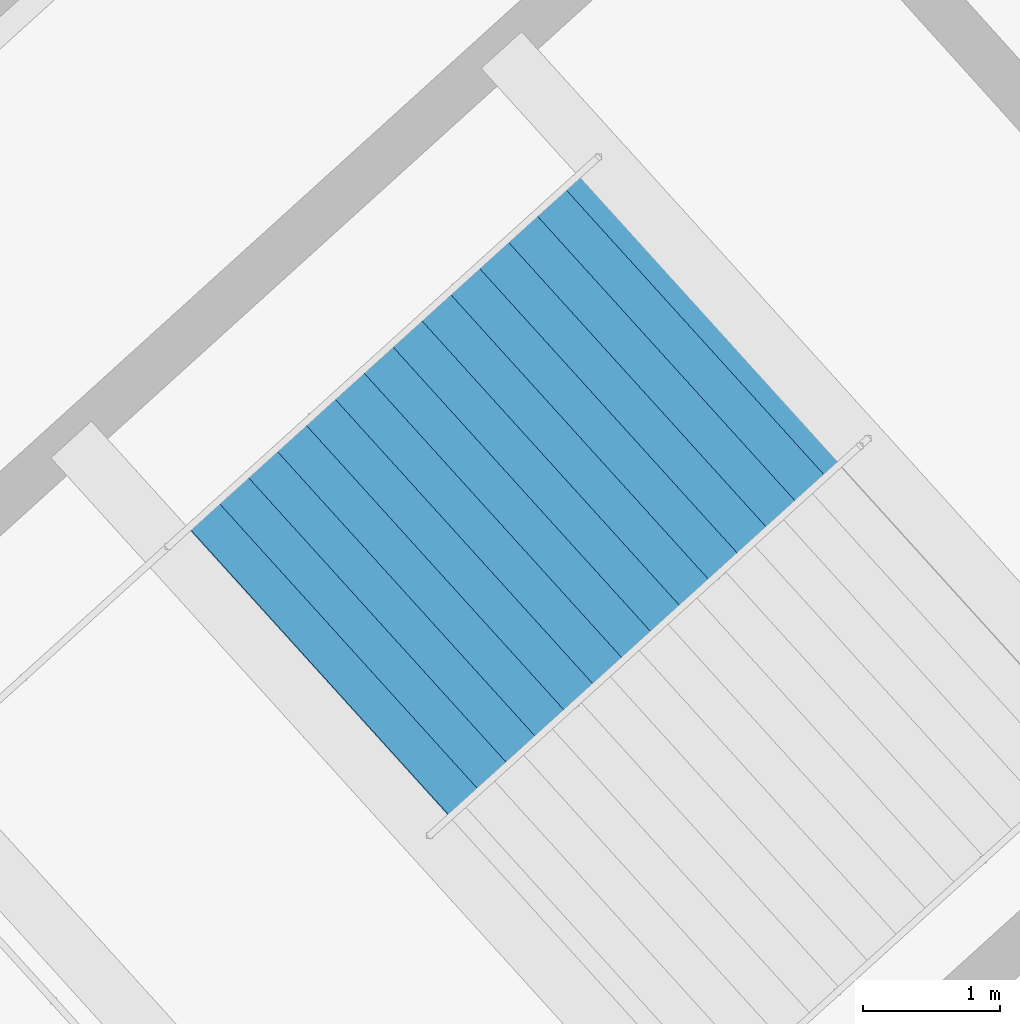
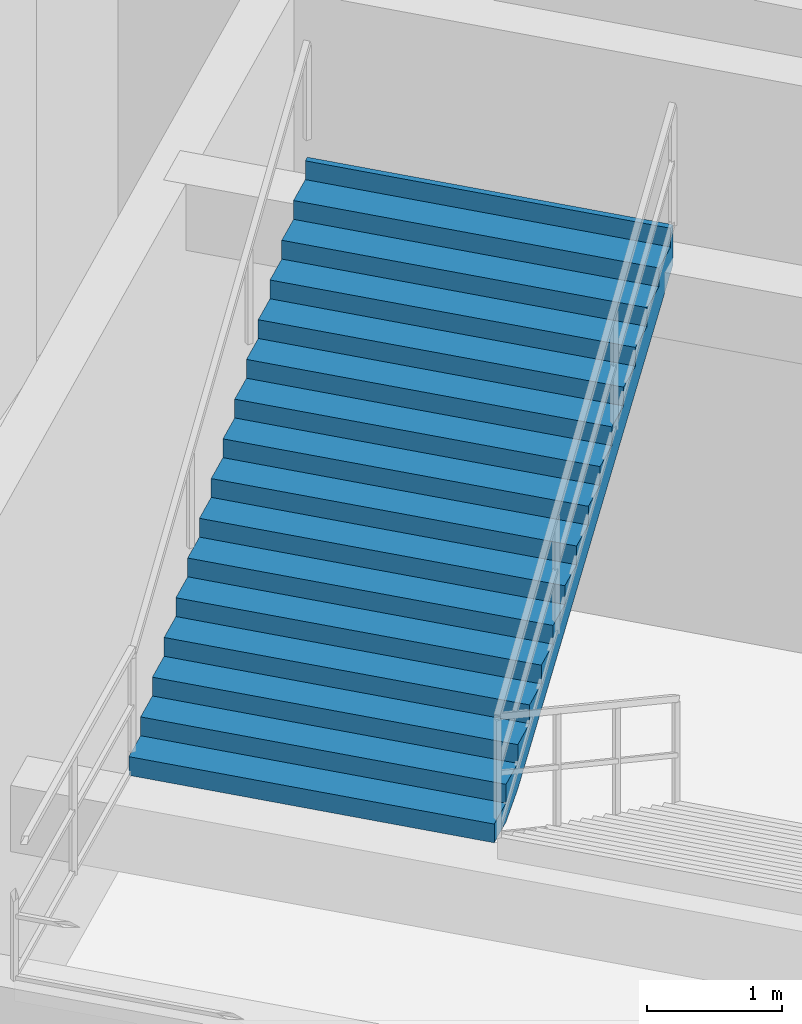
# One storey, part 35 of 49: 1 stair flight, 1 element without a shape of its own.
"""IFC4 building model written with IfcOpenShell, lengths in metres."""

from ifc_helpers import new_model, si_unit, direction, frame, origin, place, context, subcontext, project, spatial, polygons, material, type_object, element, aggregate, save


model = new_model("IFC4")

# Units and contexts
model_context = context("Model", 3, precision=1e-05, world=origin(), true_north=direction((0.0, 1.0)))
body_context = subcontext(model_context, "Body", "Model", "MODEL_VIEW")
ifc_project = project(units=[si_unit("LENGTHUNIT", "METRE"), si_unit("AREAUNIT", "SQUARE_METRE"), si_unit("VOLUMEUNIT", "CUBIC_METRE"), si_unit("PLANEANGLEUNIT", "RADIAN"), si_unit("MASSUNIT", "GRAM", prefix="KILO")], contexts=[model_context])

# Site, building, storey
site_placement = place(None, origin())
site = spatial("IfcSite", under=ifc_project, at=site_placement, CompositionType="ELEMENT")
building_placement = place(site_placement, origin())
building = spatial("IfcBuilding", under=site, at=building_placement, Name="Kazemori Nagisa Stadium", CompositionType="ELEMENT")
storey_placement = place(building_placement, frame((0.0, 0.0, -5.43994140625)))
storey = spatial("IfcBuildingStorey", under=building, at=storey_placement, Name="B1", CompositionType="ELEMENT", Elevation=-5.43994140625)

# Stair, stair flight
ifc_material = material(Name="Concrete C36/45 (Fc36)", Category="concrete")
stair_type = type_object("IfcStairType", Name="Stair_CORE_32", PredefinedType="TWO_STRAIGHT_RUN_STAIR", material=ifc_material)
stair_placement = place(storey_placement, origin())
stair = element("IfcStair", 1, at=stair_placement, inside=storey, type_object=stair_type, Name="Exit stair ST02 B1", PredefinedType="TWO_STRAIGHT_RUN_STAIR")
stair_flight_type = type_object("IfcStairFlightType", Name="Flight_CORE_16", PredefinedType="STRAIGHT", material=ifc_material)
stair_flight_placement = place(storey_placement, frame((58.0458984375, 163.74609375, 2.719970703125), z_axis=(0.0, 0.0, 1.0), x_axis=(0.741328742395, 0.671142083093, 0.0)))
stair_flight = element("IfcStairFlight", 2, at=stair_flight_placement, type_object=stair_flight_type, Name="Exit stair ST02 B1 flight 2", NumberOfRisers=16, NumberOfTreads=15, PredefinedType="STRAIGHT", RiserHeight=0.17, TreadLength=0.285, context=body_context, shape_type="Tessellation", body=[
    polygons([(0.0, -1.425048828125, 0.0), (0.0, -1.425048828125, 0.169921875), (0.284912109375, -1.425048828125, 0.169921875), (0.284912109375, -1.425048828125, 0.340087890625), (0.570068359375, -1.425048828125, 0.340087890625), (0.570068359375, -1.425048828125, 0.510009765625), (0.85498046875, -1.425048828125, 0.510009765625), (0.85498046875, -1.425048828125, 0.679931640625), (1.139892578125, -1.425048828125, 0.679931640625), (1.139892578125, -1.425048828125, 0.85009765625), (1.425048828125, -1.425048828125, 0.85009765625), (1.425048828125, -1.425048828125, 1.02001953125), (1.7099609375, -1.425048828125, 1.02001953125), (1.7099609375, -1.425048828125, 1.18994140625), (1.9951171875, -1.425048828125, 1.18994140625), (1.9951171875, -1.425048828125, 1.360107421875), (2.280029296875, -1.425048828125, 1.360107421875), (2.280029296875, -1.425048828125, 1.530029296875), (2.56494140625, -1.425048828125, 1.530029296875), (2.56494140625, -1.425048828125, 1.699951171875), (2.85009765625, -1.425048828125, 1.699951171875), (2.85009765625, -1.425048828125, 1.8701171875), (3.135009765625, -1.425048828125, 1.8701171875), (3.135009765625, -1.425048828125, 2.0400390625), (3.419921875, -1.425048828125, 2.0400390625), (3.419921875, -1.425048828125, 2.2099609375), (3.705078125, -1.425048828125, 2.2099609375), (3.705078125, -1.425048828125, 2.3798828125), (3.989990234375, -1.425048828125, 2.3798828125), (3.989990234375, -1.425048828125, 2.550048828125), (4.27490234375, -1.425048828125, 2.550048828125), (4.27490234375, -1.425048828125, 2.719970703125), (4.324951171875, -1.425048828125, 2.719970703125), (4.324951171875, -1.425048828125, 2.346923828125), (4.27490234375, -1.425048828125, 2.317138671875), (3.989990234375, -1.425048828125, 2.147216796875), (3.705078125, -1.425048828125, 1.977294921875), (3.419921875, -1.425048828125, 1.80712890625), (3.135009765625, -1.425048828125, 1.63720703125), (2.85009765625, -1.425048828125, 1.46728515625), (2.56494140625, -1.425048828125, 1.297119140625), (2.280029296875, -1.425048828125, 1.127197265625), (1.9951171875, -1.425048828125, 0.957275390625), (1.7099609375, -1.425048828125, 0.787109375), (1.425048828125, -1.425048828125, 0.6171875), (1.139892578125, -1.425048828125, 0.447265625), (0.85498046875, -1.425048828125, 0.277099609375), (0.570068359375, -1.425048828125, 0.107177734375), (0.284912109375, -1.425048828125, 0.0), (0.0, -0.08544921875, 0.0), (0.0, -0.08544921875, 0.169921875), (0.284912109375, -0.08544921875, 0.169921875), (0.284912109375, -0.08544921875, 0.340087890625), (0.570068359375, -0.08544921875, 0.340087890625), (0.570068359375, -0.08544921875, 0.510009765625), (0.85498046875, -0.08544921875, 0.510009765625), (0.85498046875, -0.08544921875, 0.679931640625), (1.139892578125, -0.08544921875, 0.679931640625), (1.139892578125, -0.08544921875, 0.85009765625), (1.425048828125, -0.08544921875, 0.85009765625), (1.425048828125, -0.08544921875, 1.02001953125), (1.7099609375, -0.08544921875, 1.02001953125), (1.7099609375, -0.08544921875, 1.18994140625), (1.9951171875, -0.08544921875, 1.18994140625), (1.9951171875, -0.08544921875, 1.360107421875), (2.280029296875, -0.08544921875, 1.360107421875), (2.280029296875, -0.08544921875, 1.530029296875), (2.56494140625, -0.08544921875, 1.530029296875), (2.56494140625, -0.08544921875, 1.699951171875), (2.85009765625, -0.08544921875, 1.699951171875), (2.85009765625, -0.08544921875, 1.8701171875), (3.135009765625, -0.08544921875, 1.8701171875), (3.135009765625, -0.08544921875, 2.0400390625), (3.419921875, -0.08544921875, 2.0400390625), (3.419921875, -0.08544921875, 2.2099609375), (3.705078125, -0.08544921875, 2.2099609375), (3.705078125, -0.08544921875, 2.3798828125), (3.989990234375, -0.08544921875, 2.3798828125), (3.989990234375, -0.08544921875, 2.550048828125), (4.27490234375, -0.08544921875, 2.550048828125), (4.27490234375, -0.08544921875, 2.719970703125), (4.324951171875, -0.08544921875, 2.719970703125), (4.324951171875, -0.08544921875, 2.346923828125), (4.27490234375, -0.08544921875, 2.317138671875), (3.989990234375, -0.08544921875, 2.147216796875), (3.705078125, -0.08544921875, 1.977294921875), (3.419921875, -0.08544921875, 1.80712890625), (3.135009765625, -0.08544921875, 1.63720703125), (2.85009765625, -0.08544921875, 1.46728515625), (2.56494140625, -0.08544921875, 1.297119140625), (2.280029296875, -0.08544921875, 1.127197265625), (1.9951171875, -0.08544921875, 0.957275390625), (1.7099609375, -0.08544921875, 0.787109375), (1.425048828125, -0.08544921875, 0.6171875), (1.139892578125, -0.08544921875, 0.447265625), (0.85498046875, -0.08544921875, 0.277099609375), (0.570068359375, -0.08544921875, 0.107177734375), (0.284912109375, -0.08544921875, 0.0), (0.0, 0.0, 0.0), (0.0, 0.0, 0.169921875), (0.284912109375, 0.0, 0.169921875), (0.284912109375, 0.0, 0.340087890625), (0.570068359375, 0.0, 0.340087890625), (0.570068359375, 0.0, 0.510009765625), (0.85498046875, 0.0, 0.510009765625), (0.85498046875, 0.0, 0.679931640625), (1.139892578125, 0.0, 0.679931640625), (1.139892578125, 0.0, 0.85009765625), (1.425048828125, 0.0, 0.85009765625), (1.425048828125, 0.0, 1.02001953125), (1.7099609375, 0.0, 1.02001953125), (1.7099609375, 0.0, 1.18994140625), (1.9951171875, 0.0, 1.18994140625), (1.9951171875, 0.0, 1.360107421875), (2.280029296875, 0.0, 1.360107421875), (2.280029296875, 0.0, 1.530029296875), (2.56494140625, 0.0, 1.530029296875), (2.56494140625, 0.0, 1.699951171875), (2.85009765625, 0.0, 1.699951171875), (2.85009765625, 0.0, 1.8701171875), (3.135009765625, 0.0, 1.8701171875), (3.135009765625, 0.0, 2.0400390625), (3.419921875, 0.0, 2.0400390625), (3.419921875, 0.0, 2.2099609375), (3.705078125, 0.0, 2.2099609375), (3.705078125, 0.0, 2.3798828125), (3.989990234375, 0.0, 2.3798828125), (3.989990234375, 0.0, 2.550048828125), (4.27490234375, 0.0, 2.550048828125), (4.27490234375, 0.0, 2.719970703125), (4.324951171875, 0.0, 2.719970703125), (4.324951171875, 0.0, 2.346923828125), (4.27490234375, 0.0, 2.317138671875), (3.989990234375, 0.0, 2.147216796875), (3.705078125, 0.0, 1.977294921875), (3.419921875, 0.0, 1.80712890625), (3.135009765625, 0.0, 1.63720703125), (2.85009765625, 0.0, 1.46728515625), (2.56494140625, 0.0, 1.297119140625), (2.280029296875, 0.0, 1.127197265625), (1.9951171875, 0.0, 0.957275390625), (1.7099609375, 0.0, 0.787109375), (1.425048828125, 0.0, 0.6171875), (1.139892578125, 0.0, 0.447265625), (0.85498046875, 0.0, 0.277099609375), (0.570068359375, 0.0, 0.107177734375), (0.284912109375, 0.0, 0.0), (0.0, 0.08544921875, 0.0), (0.0, 0.08544921875, 0.169921875), (0.284912109375, 0.08544921875, 0.169921875), (0.284912109375, 0.08544921875, 0.340087890625), (0.570068359375, 0.08544921875, 0.340087890625), (0.570068359375, 0.08544921875, 0.510009765625), (0.85498046875, 0.08544921875, 0.510009765625), (0.85498046875, 0.08544921875, 0.679931640625), (1.139892578125, 0.08544921875, 0.679931640625), (1.139892578125, 0.08544921875, 0.85009765625), (1.425048828125, 0.08544921875, 0.85009765625), (1.425048828125, 0.08544921875, 1.02001953125), (1.7099609375, 0.08544921875, 1.02001953125), (1.7099609375, 0.08544921875, 1.18994140625), (1.9951171875, 0.08544921875, 1.18994140625), (1.9951171875, 0.08544921875, 1.360107421875), (2.280029296875, 0.08544921875, 1.360107421875), (2.280029296875, 0.08544921875, 1.530029296875), (2.56494140625, 0.08544921875, 1.530029296875), (2.56494140625, 0.08544921875, 1.699951171875), (2.85009765625, 0.08544921875, 1.699951171875), (2.85009765625, 0.08544921875, 1.8701171875), (3.135009765625, 0.08544921875, 1.8701171875), (3.135009765625, 0.08544921875, 2.0400390625), (3.419921875, 0.08544921875, 2.0400390625), (3.419921875, 0.08544921875, 2.2099609375), (3.705078125, 0.08544921875, 2.2099609375), (3.705078125, 0.08544921875, 2.3798828125), (3.989990234375, 0.08544921875, 2.3798828125), (3.989990234375, 0.08544921875, 2.550048828125), (4.27490234375, 0.08544921875, 2.550048828125), (4.27490234375, 0.08544921875, 2.719970703125), (4.324951171875, 0.08544921875, 2.719970703125), (4.324951171875, 0.08544921875, 2.346923828125), (4.27490234375, 0.08544921875, 2.317138671875), (3.989990234375, 0.08544921875, 2.147216796875), (3.705078125, 0.08544921875, 1.977294921875), (3.419921875, 0.08544921875, 1.80712890625), (3.135009765625, 0.08544921875, 1.63720703125), (2.85009765625, 0.08544921875, 1.46728515625), (2.56494140625, 0.08544921875, 1.297119140625), (2.280029296875, 0.08544921875, 1.127197265625), (1.9951171875, 0.08544921875, 0.957275390625), (1.7099609375, 0.08544921875, 0.787109375), (1.425048828125, 0.08544921875, 0.6171875), (1.139892578125, 0.08544921875, 0.447265625), (0.85498046875, 0.08544921875, 0.277099609375), (0.570068359375, 0.08544921875, 0.107177734375), (0.284912109375, 0.08544921875, 0.0), (0.0, 1.425048828125, 0.0), (0.0, 1.425048828125, 0.169921875), (0.284912109375, 1.425048828125, 0.169921875), (0.284912109375, 1.425048828125, 0.340087890625), (0.570068359375, 1.425048828125, 0.340087890625), (0.570068359375, 1.425048828125, 0.510009765625), (0.85498046875, 1.425048828125, 0.510009765625), (0.85498046875, 1.425048828125, 0.679931640625), (1.139892578125, 1.425048828125, 0.679931640625), (1.139892578125, 1.425048828125, 0.85009765625), (1.425048828125, 1.425048828125, 0.85009765625), (1.425048828125, 1.425048828125, 1.02001953125), (1.7099609375, 1.425048828125, 1.02001953125), (1.7099609375, 1.425048828125, 1.18994140625), (1.9951171875, 1.425048828125, 1.18994140625), (1.9951171875, 1.425048828125, 1.360107421875), (2.280029296875, 1.425048828125, 1.360107421875), (2.280029296875, 1.425048828125, 1.530029296875), (2.56494140625, 1.425048828125, 1.530029296875), (2.56494140625, 1.425048828125, 1.699951171875), (2.85009765625, 1.425048828125, 1.699951171875), (2.85009765625, 1.425048828125, 1.8701171875), (3.135009765625, 1.425048828125, 1.8701171875), (3.135009765625, 1.425048828125, 2.0400390625), (3.419921875, 1.425048828125, 2.0400390625), (3.419921875, 1.425048828125, 2.2099609375), (3.705078125, 1.425048828125, 2.2099609375), (3.705078125, 1.425048828125, 2.3798828125), (3.989990234375, 1.425048828125, 2.3798828125), (3.989990234375, 1.425048828125, 2.550048828125), (4.27490234375, 1.425048828125, 2.550048828125), (4.27490234375, 1.425048828125, 2.719970703125), (4.324951171875, 1.425048828125, 2.719970703125), (4.324951171875, 1.425048828125, 2.346923828125), (4.27490234375, 1.425048828125, 2.317138671875), (3.989990234375, 1.425048828125, 2.147216796875), (3.705078125, 1.425048828125, 1.977294921875), (3.419921875, 1.425048828125, 1.80712890625), (3.135009765625, 1.425048828125, 1.63720703125), (2.85009765625, 1.425048828125, 1.46728515625), (2.56494140625, 1.425048828125, 1.297119140625), (2.280029296875, 1.425048828125, 1.127197265625), (1.9951171875, 1.425048828125, 0.957275390625), (1.7099609375, 1.425048828125, 0.787109375), (1.425048828125, 1.425048828125, 0.6171875), (1.139892578125, 1.425048828125, 0.447265625), (0.85498046875, 1.425048828125, 0.277099609375), (0.570068359375, 1.425048828125, 0.107177734375), (0.284912109375, 1.425048828125, 0.0)], [[[1, 2, 51]], [[1, 51, 50]], [[2, 3, 52]], [[2, 52, 51]], [[3, 4, 53]], [[3, 53, 52]], [[4, 5, 54]], [[4, 54, 53]], [[5, 6, 55]], [[5, 55, 54]], [[6, 7, 56]], [[6, 56, 55]], [[7, 8, 57]], [[7, 57, 56]], [[8, 9, 58]], [[8, 58, 57]], [[9, 10, 59]], [[9, 59, 58]], [[10, 11, 60]], [[10, 60, 59]], [[11, 12, 61]], [[11, 61, 60]], [[12, 13, 62]], [[12, 62, 61]], [[13, 14, 63]], [[13, 63, 62]], [[14, 15, 64]], [[14, 64, 63]], [[15, 16, 65]], [[15, 65, 64]], [[16, 17, 66]], [[16, 66, 65]], [[17, 18, 67]], [[17, 67, 66]], [[18, 19, 68]], [[18, 68, 67]], [[19, 20, 69]], [[19, 69, 68]], [[20, 21, 70]], [[20, 70, 69]], [[21, 22, 71]], [[21, 71, 70]], [[22, 23, 72]], [[22, 72, 71]], [[23, 24, 73]], [[23, 73, 72]], [[24, 25, 74]], [[24, 74, 73]], [[25, 26, 75]], [[25, 75, 74]], [[26, 27, 76]], [[26, 76, 75]], [[27, 28, 77]], [[27, 77, 76]], [[28, 29, 78]], [[28, 78, 77]], [[29, 30, 79]], [[29, 79, 78]], [[30, 31, 80]], [[30, 80, 79]], [[31, 32, 81]], [[31, 81, 80]], [[32, 33, 82]], [[32, 82, 81]], [[33, 34, 83]], [[33, 83, 82]], [[34, 35, 84]], [[34, 84, 83]], [[35, 36, 85]], [[35, 85, 84]], [[36, 37, 86]], [[36, 86, 85]], [[37, 38, 87]], [[37, 87, 86]], [[38, 39, 88]], [[38, 88, 87]], [[39, 40, 89]], [[39, 89, 88]], [[40, 41, 90]], [[40, 90, 89]], [[41, 42, 91]], [[41, 91, 90]], [[42, 43, 92]], [[42, 92, 91]], [[43, 44, 93]], [[43, 93, 92]], [[44, 45, 94]], [[44, 94, 93]], [[45, 46, 95]], [[45, 95, 94]], [[46, 47, 96]], [[46, 96, 95]], [[47, 48, 97]], [[47, 97, 96]], [[48, 49, 98]], [[48, 98, 97]], [[49, 1, 50]], [[49, 50, 98]], [[50, 51, 100]], [[50, 100, 99]], [[51, 52, 101]], [[51, 101, 100]], [[52, 53, 102]], [[52, 102, 101]], [[53, 54, 103]], [[53, 103, 102]], [[54, 55, 104]], [[54, 104, 103]], [[55, 56, 105]], [[55, 105, 104]], [[56, 57, 106]], [[56, 106, 105]], [[57, 58, 107]], [[57, 107, 106]], [[58, 59, 108]], [[58, 108, 107]], [[59, 60, 109]], [[59, 109, 108]], [[60, 61, 110]], [[60, 110, 109]], [[61, 62, 111]], [[61, 111, 110]], [[62, 63, 112]], [[62, 112, 111]], [[63, 64, 113]], [[63, 113, 112]], [[64, 65, 114]], [[64, 114, 113]], [[65, 66, 115]], [[65, 115, 114]], [[66, 67, 116]], [[66, 116, 115]], [[67, 68, 117]], [[67, 117, 116]], [[68, 69, 118]], [[68, 118, 117]], [[69, 70, 119]], [[69, 119, 118]], [[70, 71, 120]], [[70, 120, 119]], [[71, 72, 121]], [[71, 121, 120]], [[72, 73, 122]], [[72, 122, 121]], [[73, 74, 123]], [[73, 123, 122]], [[74, 75, 124]], [[74, 124, 123]], [[75, 76, 125]], [[75, 125, 124]], [[76, 77, 126]], [[76, 126, 125]], [[77, 78, 127]], [[77, 127, 126]], [[78, 79, 128]], [[78, 128, 127]], [[79, 80, 129]], [[79, 129, 128]], [[80, 81, 130]], [[80, 130, 129]], [[81, 82, 131]], [[81, 131, 130]], [[82, 83, 132]], [[82, 132, 131]], [[83, 84, 133]], [[83, 133, 132]], [[84, 85, 134]], [[84, 134, 133]], [[85, 86, 135]], [[85, 135, 134]], [[86, 87, 136]], [[86, 136, 135]], [[87, 88, 137]], [[87, 137, 136]], [[88, 89, 138]], [[88, 138, 137]], [[89, 90, 139]], [[89, 139, 138]], [[90, 91, 140]], [[90, 140, 139]], [[91, 92, 141]], [[91, 141, 140]], [[92, 93, 142]], [[92, 142, 141]], [[93, 94, 143]], [[93, 143, 142]], [[94, 95, 144]], [[94, 144, 143]], [[95, 96, 145]], [[95, 145, 144]], [[96, 97, 146]], [[96, 146, 145]], [[97, 98, 147]], [[97, 147, 146]], [[98, 50, 99]], [[98, 99, 147]], [[99, 100, 149]], [[99, 149, 148]], [[100, 101, 150]], [[100, 150, 149]], [[101, 102, 151]], [[101, 151, 150]], [[102, 103, 152]], [[102, 152, 151]], [[103, 104, 153]], [[103, 153, 152]], [[104, 105, 154]], [[104, 154, 153]], [[105, 106, 155]], [[105, 155, 154]], [[106, 107, 156]], [[106, 156, 155]], [[107, 108, 157]], [[107, 157, 156]], [[108, 109, 158]], [[108, 158, 157]], [[109, 110, 159]], [[109, 159, 158]], [[110, 111, 160]], [[110, 160, 159]], [[111, 112, 161]], [[111, 161, 160]], [[112, 113, 162]], [[112, 162, 161]], [[113, 114, 163]], [[113, 163, 162]], [[114, 115, 164]], [[114, 164, 163]], [[115, 116, 165]], [[115, 165, 164]], [[116, 117, 166]], [[116, 166, 165]], [[117, 118, 167]], [[117, 167, 166]], [[118, 119, 168]], [[118, 168, 167]], [[119, 120, 169]], [[119, 169, 168]], [[120, 121, 170]], [[120, 170, 169]], [[121, 122, 171]], [[121, 171, 170]], [[122, 123, 172]], [[122, 172, 171]], [[123, 124, 173]], [[123, 173, 172]], [[124, 125, 174]], [[124, 174, 173]], [[125, 126, 175]], [[125, 175, 174]], [[126, 127, 176]], [[126, 176, 175]], [[127, 128, 177]], [[127, 177, 176]], [[128, 129, 178]], [[128, 178, 177]], [[129, 130, 179]], [[129, 179, 178]], [[130, 131, 180]], [[130, 180, 179]], [[131, 132, 181]], [[131, 181, 180]], [[132, 133, 182]], [[132, 182, 181]], [[133, 134, 183]], [[133, 183, 182]], [[134, 135, 184]], [[134, 184, 183]], [[135, 136, 185]], [[135, 185, 184]], [[136, 137, 186]], [[136, 186, 185]], [[137, 138, 187]], [[137, 187, 186]], [[138, 139, 188]], [[138, 188, 187]], [[139, 140, 189]], [[139, 189, 188]], [[140, 141, 190]], [[140, 190, 189]], [[141, 142, 191]], [[141, 191, 190]], [[142, 143, 192]], [[142, 192, 191]], [[143, 144, 193]], [[143, 193, 192]], [[144, 145, 194]], [[144, 194, 193]], [[145, 146, 195]], [[145, 195, 194]], [[146, 147, 196]], [[146, 196, 195]], [[147, 99, 148]], [[147, 148, 196]], [[148, 149, 198]], [[148, 198, 197]], [[149, 150, 199]], [[149, 199, 198]], [[150, 151, 200]], [[150, 200, 199]], [[151, 152, 201]], [[151, 201, 200]], [[152, 153, 202]], [[152, 202, 201]], [[153, 154, 203]], [[153, 203, 202]], [[154, 155, 204]], [[154, 204, 203]], [[155, 156, 205]], [[155, 205, 204]], [[156, 157, 206]], [[156, 206, 205]], [[157, 158, 207]], [[157, 207, 206]], [[158, 159, 208]], [[158, 208, 207]], [[159, 160, 209]], [[159, 209, 208]], [[160, 161, 210]], [[160, 210, 209]], [[161, 162, 211]], [[161, 211, 210]], [[162, 163, 212]], [[162, 212, 211]], [[163, 164, 213]], [[163, 213, 212]], [[164, 165, 214]], [[164, 214, 213]], [[165, 166, 215]], [[165, 215, 214]], [[166, 167, 216]], [[166, 216, 215]], [[167, 168, 217]], [[167, 217, 216]], [[168, 169, 218]], [[168, 218, 217]], [[169, 170, 219]], [[169, 219, 218]], [[170, 171, 220]], [[170, 220, 219]], [[171, 172, 221]], [[171, 221, 220]], [[172, 173, 222]], [[172, 222, 221]], [[173, 174, 223]], [[173, 223, 222]], [[174, 175, 224]], [[174, 224, 223]], [[175, 176, 225]], [[175, 225, 224]], [[176, 177, 226]], [[176, 226, 225]], [[177, 178, 227]], [[177, 227, 226]], [[178, 179, 228]], [[178, 228, 227]], [[179, 180, 229]], [[179, 229, 228]], [[180, 181, 230]], [[180, 230, 229]], [[181, 182, 231]], [[181, 231, 230]], [[182, 183, 232]], [[182, 232, 231]], [[183, 184, 233]], [[183, 233, 232]], [[184, 185, 234]], [[184, 234, 233]], [[185, 186, 235]], [[185, 235, 234]], [[186, 187, 236]], [[186, 236, 235]], [[187, 188, 237]], [[187, 237, 236]], [[188, 189, 238]], [[188, 238, 237]], [[189, 190, 239]], [[189, 239, 238]], [[190, 191, 240]], [[190, 240, 239]], [[191, 192, 241]], [[191, 241, 240]], [[192, 193, 242]], [[192, 242, 241]], [[193, 194, 243]], [[193, 243, 242]], [[194, 195, 244]], [[194, 244, 243]], [[195, 196, 245]], [[195, 245, 244]], [[196, 148, 197]], [[196, 197, 245]], [[3, 2, 1]], [[197, 198, 199]], [[49, 3, 1]], [[197, 199, 245]], [[48, 3, 49]], [[245, 199, 244]], [[5, 3, 48]], [[244, 199, 201]], [[5, 4, 3]], [[199, 200, 201]], [[47, 5, 48]], [[244, 201, 243]], [[7, 5, 47]], [[243, 201, 203]], [[7, 6, 5]], [[201, 202, 203]], [[46, 7, 47]], [[243, 203, 242]], [[9, 7, 46]], [[242, 203, 205]], [[9, 8, 7]], [[203, 204, 205]], [[45, 9, 46]], [[242, 205, 241]], [[11, 9, 45]], [[241, 205, 207]], [[11, 10, 9]], [[205, 206, 207]], [[44, 11, 45]], [[241, 207, 240]], [[13, 11, 44]], [[240, 207, 209]], [[13, 12, 11]], [[207, 208, 209]], [[43, 13, 44]], [[240, 209, 239]], [[15, 13, 43]], [[239, 209, 211]], [[15, 14, 13]], [[209, 210, 211]], [[42, 15, 43]], [[239, 211, 238]], [[17, 15, 42]], [[238, 211, 213]], [[17, 16, 15]], [[211, 212, 213]], [[41, 17, 42]], [[238, 213, 237]], [[19, 17, 41]], [[237, 213, 215]], [[19, 18, 17]], [[213, 214, 215]], [[40, 19, 41]], [[237, 215, 236]], [[21, 19, 40]], [[236, 215, 217]], [[21, 20, 19]], [[215, 216, 217]], [[39, 21, 40]], [[236, 217, 235]], [[23, 21, 39]], [[235, 217, 219]], [[23, 22, 21]], [[217, 218, 219]], [[38, 23, 39]], [[235, 219, 234]], [[25, 23, 38]], [[234, 219, 221]], [[25, 24, 23]], [[219, 220, 221]], [[37, 25, 38]], [[234, 221, 233]], [[27, 25, 37]], [[233, 221, 223]], [[27, 26, 25]], [[221, 222, 223]], [[36, 27, 37]], [[233, 223, 232]], [[29, 27, 36]], [[232, 223, 225]], [[29, 28, 27]], [[223, 224, 225]], [[35, 29, 36]], [[232, 225, 231]], [[31, 29, 35]], [[231, 225, 227]], [[31, 30, 29]], [[225, 226, 227]], [[34, 31, 35]], [[231, 227, 230]], [[33, 31, 34]], [[230, 227, 229]], [[33, 32, 31]], [[227, 228, 229]]], closed=True),
])
aggregate(stair, [stair_flight])

save(model, "model.ifc")
